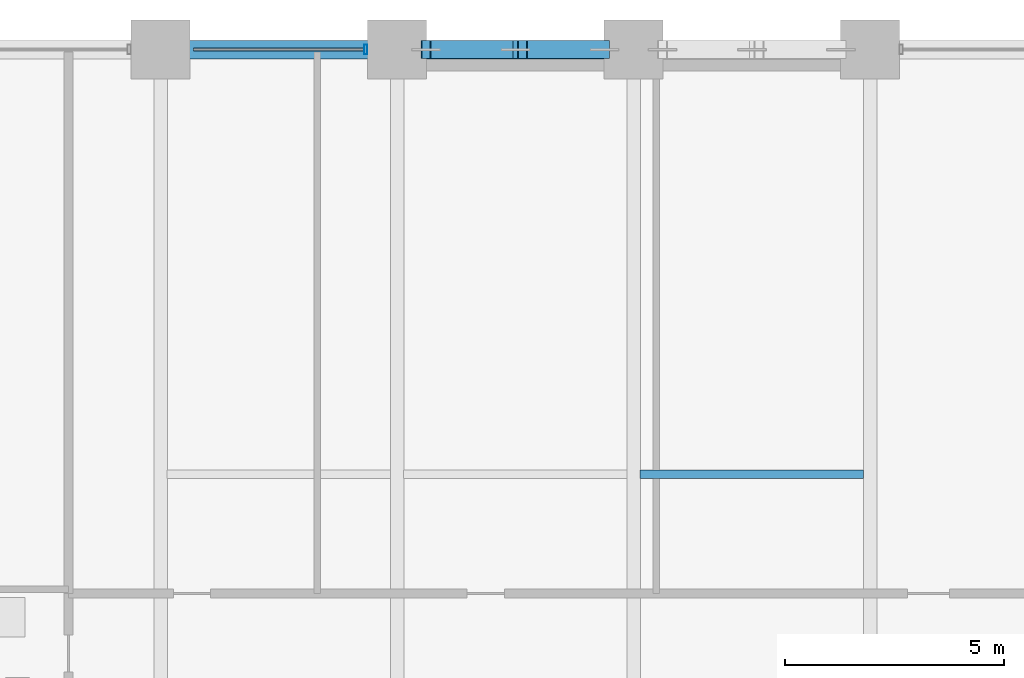
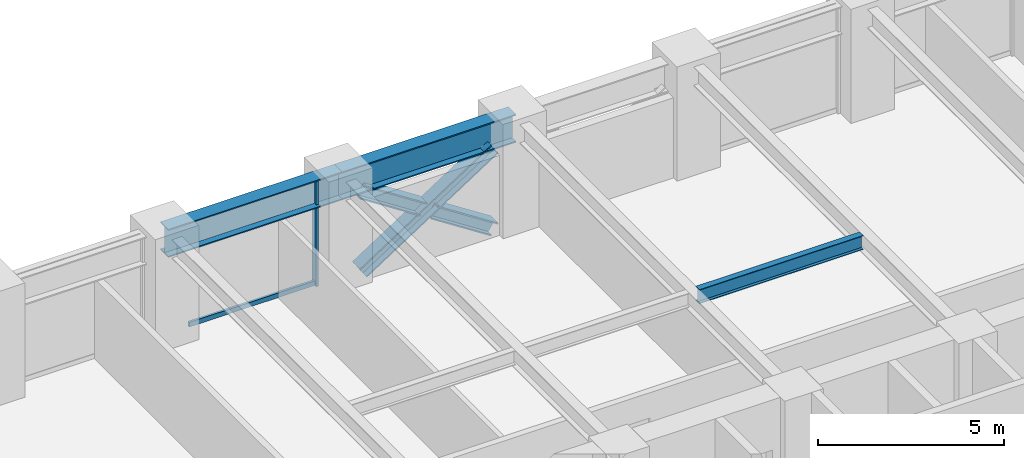
# One storey, part 13 of 25: 5 members, 3 beams, 1 element without a shape of its own.
"""IFC4 building model written with IfcOpenShell, lengths in metres."""

from ifc_helpers import new_model, si_unit, direction, frame, origin, origin_2d, place, context, subcontext, project, spatial, hollow_rectangle, i_section, extrude, material, layer, layer_set, material_profile, profile_set, type_object, element, aggregate, save


model = new_model("IFC4")

# Units and contexts
model_context = context("Model", 3, precision=1e-05, world=origin(), true_north=direction((0.0, 1.0)))
body_context = subcontext(model_context, "Body", "Model", "MODEL_VIEW")
ifc_project = project(units=[si_unit("LENGTHUNIT", "METRE"), si_unit("AREAUNIT", "SQUARE_METRE"), si_unit("VOLUMEUNIT", "CUBIC_METRE"), si_unit("PLANEANGLEUNIT", "RADIAN"), si_unit("MASSUNIT", "GRAM", prefix="KILO")], contexts=[model_context])

# Site, building, storey
site_placement = place(None, origin())
site = spatial("IfcSite", under=ifc_project, at=site_placement, CompositionType="ELEMENT")
building_placement = place(site_placement, origin())
building = spatial("IfcBuilding", under=site, at=building_placement, Name="Surkhivell Harbour Commons", CompositionType="ELEMENT")
storey_placement = place(building_placement, frame((0.0, 0.0, 45.0)))
storey = spatial("IfcBuildingStorey", under=building, at=storey_placement, Name="L11", CompositionType="ELEMENT", Elevation=45.0)

# Beams
ifc_material_1 = material(Name="Steel S355", Category="steel")
ifc_material_profile_1 = material_profile(ifc_material_1, i_section(OverallWidth=0.19189453125, OverallDepth=0.462890625, WebThickness=0.010498046875, FlangeThickness=0.017578125, at=origin_2d()), Name="UB457x191x89")
ifc_profile_set_1 = profile_set([ifc_material_profile_1], Name="Steel S355")
beam_type_1 = type_object("IfcBeamType", Name="BM-JST-457A", PredefinedType="JOIST", material=ifc_profile_set_1)
beam_1_placement = place(storey_placement, frame((0.151611328125, 16.199951171875, 3.33837890625), z_axis=(1.0, 0.0, 0.0), x_axis=(0.0, 1.0, 0.0)))
element("IfcBeam", 1, at=beam_1_placement, inside=storey, type_object=beam_type_1, Name="L11 North Composite Joist (0.0)", PredefinedType="JOIST", context=body_context, shape_type="SweptSolid", body=[
    extrude(i_section(OverallWidth=0.19189453125, OverallDepth=0.462890625, WebThickness=0.010498046875, FlangeThickness=0.017578125, at=origin_2d()), origin(), (0.0, 0.0, 1.0), 5.096923828125),
])
ifc_material_2 = material(Name="Steel S460", Category="steel")
ifc_material_profile_2 = material_profile(ifc_material_2, i_section(OverallWidth=0.419921875, OverallDepth=0.9208984375, WebThickness=0.021484375, FlangeThickness=0.03662109375, at=origin_2d()), Name="UB914x419x388")
ifc_profile_set_2 = profile_set([ifc_material_profile_2], Name="Steel S460")
beam_type_2 = type_object("IfcBeamType", Name="BM-SPN-914A", PredefinedType="SPANDREL", material=ifc_profile_set_2)
beam_2_placement = place(storey_placement, frame((-10.800048828125, 25.89990234375, 3.109619140625), z_axis=(1.0, 0.0, 0.0), x_axis=(0.0, 1.0, 0.0)))
element("IfcBeam", 2, at=beam_2_placement, inside=storey, type_object=beam_type_2, Name="L11 Tube Spandrel (-10.8,25.9)", PredefinedType="SPANDREL", context=body_context, shape_type="SweptSolid", body=[
    extrude(i_section(OverallWidth=0.419921875, OverallDepth=0.9208984375, WebThickness=0.021484375, FlangeThickness=0.03662109375, at=origin_2d()), origin(), (0.0, 0.0, 1.0), 5.400146484375),
])
beam_3_placement = place(storey_placement, frame((-5.39990234375, 25.89990234375, 3.109619140625), z_axis=(1.0, 0.0, 0.0), x_axis=(0.0, 1.0, 0.0)))
element("IfcBeam", 3, at=beam_3_placement, inside=storey, type_object=beam_type_2, Name="L11 Tube Spandrel (-5.4,25.9)", PredefinedType="SPANDREL", context=body_context, shape_type="SweptSolid", body=[
    extrude(i_section(OverallWidth=0.419921875, OverallDepth=0.9208984375, WebThickness=0.021484375, FlangeThickness=0.03662109375, at=origin_2d()), origin(), (0.0, 0.0, 1.0), 5.39990234375),
])

# Curtain wall, members
ifc_material_3 = material(Name="Anodised pale-metal aluminium and insulated glazing", Category="aluminium")
ifc_layer = layer(ifc_material_3, 0.219970703125)
ifc_layer_set = layer_set([ifc_layer], Name="Anodised pale-metal aluminium and insulated glazing")
curtain_wall_type = type_object("IfcCurtainWallType", Name="CW-SYS-Z1", PredefinedType="NOTDEFINED", material=ifc_layer_set)
curtain_wall_placement = place(storey_placement, origin())
curtain_wall = element("IfcCurtainWall", 4, at=curtain_wall_placement, inside=storey, type_object=curtain_wall_type, Name="L11 Curtain Wall CW-L11-E07S2", PredefinedType="NOTDEFINED")
ifc_material_4 = material(Name="Anodised pale-metal aluminium alloy 6063-T6", Category="aluminium")
ifc_material_profile_3 = material_profile(ifc_material_4, hollow_rectangle(XDim=0.074951171875, YDim=0.219970703125, WallThickness=0.00390625, at=origin_2d()), Name="ALU-MULL-75x220")
ifc_profile_set_3 = profile_set([ifc_material_profile_3], Name="Anodised pale-metal aluminium alloy 6063-T6")
member_type_1 = type_object("IfcMemberType", Name="CWM-220", PredefinedType="MULLION", material=ifc_profile_set_3)
member_1_placement = place(storey_placement, frame((-6.114501953125, 25.89990234375, 0.0), z_axis=(0.0, 0.0, 1.0), x_axis=(-1.0, 0.0, 0.0)))
member_1 = element("IfcMember", 5, at=member_1_placement, type_object=member_type_1, Name="CW-Z1 mullion 1", PredefinedType="MULLION", context=body_context, shape_type="SweptSolid", body=[
    extrude(hollow_rectangle(XDim=0.074951171875, YDim=0.219970703125, WallThickness=0.00390625, at=origin_2d()), origin(), (0.0, 0.0, 1.0), 3.570068359375),
])
ifc_material_profile_4 = material_profile(ifc_material_4, hollow_rectangle(XDim=0.074951171875, YDim=0.14990234375, WallThickness=0.00341796875, at=origin_2d()), Name="ALU-TRAN-75x150")
ifc_profile_set_4 = profile_set([ifc_material_profile_4], Name="Anodised pale-metal aluminium alloy 6063-T6")
member_type_2 = type_object("IfcMemberType", Name="CWT-150", PredefinedType="USERDEFINED", material=ifc_profile_set_4)
member_2_placement = place(storey_placement, frame((-6.152099609375, 25.89990234375, 0.074951171875), z_axis=(-1.0, 0.0, 0.0), x_axis=(0.0, -1.0, 0.0)))
member_2 = element("IfcMember", 6, at=member_2_placement, type_object=member_type_2, Name="CW-Z1 transom 1.1", ObjectType="TRANSOM", PredefinedType="USERDEFINED", context=body_context, shape_type="SweptSolid", body=[
    extrude(hollow_rectangle(XDim=0.074951171875, YDim=0.14990234375, WallThickness=0.00341796875, at=origin_2d()), origin(), (0.0, 0.0, 1.0), 3.89599609375),
])
aggregate(curtain_wall, [member_1, member_2])

# Members
ifc_material_profile_5 = material_profile(ifc_material_2, i_section(OverallWidth=0.406005859375, OverallDepth=0.416015625, WebThickness=0.026611328125, FlangeThickness=0.0390625, at=origin_2d()), Name="HD400x382")
ifc_profile_set_5 = profile_set([ifc_material_profile_5], Name="Steel S460")
member_type_3 = type_object("IfcMemberType", Name="MEM-BRC-HD382", PredefinedType="BRACE", material=ifc_profile_set_5)
member_3_placement = place(storey_placement, frame((-4.739990234375, 25.89990234375, 0.008056640625), z_axis=(0.83910375559, 0.0, 0.543971403067), x_axis=(0.0, 1.0, 0.0)))
element("IfcMember", 7, at=member_3_placement, inside=storey, type_object=member_type_3, Name="L11 Perimeter Mega-Brace MB- 01", PredefinedType="BRACE", context=body_context, shape_type="SweptSolid", body=[
    extrude(i_section(OverallWidth=0.406005859375, OverallDepth=0.416015625, WebThickness=0.026611328125, FlangeThickness=0.0390625, at=origin_2d()), origin(), (0.0, 0.0, 1.0), 4.8623046875),
])
member_4_placement = place(storey_placement, frame((-0.659912109375, 25.89990234375, 0.008056640625), z_axis=(-0.839117847051, 0.0, 0.54394966565), x_axis=(0.0, -1.0, 0.0)))
element("IfcMember", 8, at=member_4_placement, inside=storey, type_object=member_type_3, Name="L11 Perimeter Mega-Brace MB- 02", PredefinedType="BRACE", context=body_context, shape_type="SweptSolid", body=[
    extrude(i_section(OverallWidth=0.406005859375, OverallDepth=0.416015625, WebThickness=0.026611328125, FlangeThickness=0.0390625, at=origin_2d()), origin(), (0.0, 0.0, 1.0), 2.231689453125),
])
member_5_placement = place(storey_placement, frame((-2.86767578125, 25.89990234375, 1.439208984375), z_axis=(-0.83908547242, 0.0, 0.543999604756), x_axis=(0.0, -1.0, 0.0)))
element("IfcMember", 9, at=member_5_placement, inside=storey, type_object=member_type_3, Name="L11 Perimeter Mega-Brace MB- 03", PredefinedType="BRACE", context=body_context, shape_type="SweptSolid", body=[
    extrude(i_section(OverallWidth=0.406005859375, OverallDepth=0.416015625, WebThickness=0.026611328125, FlangeThickness=0.0390625, at=origin_2d()), origin(), (0.0, 0.0, 1.0), 2.2314453125),
])

save(model, "model.ifc")
